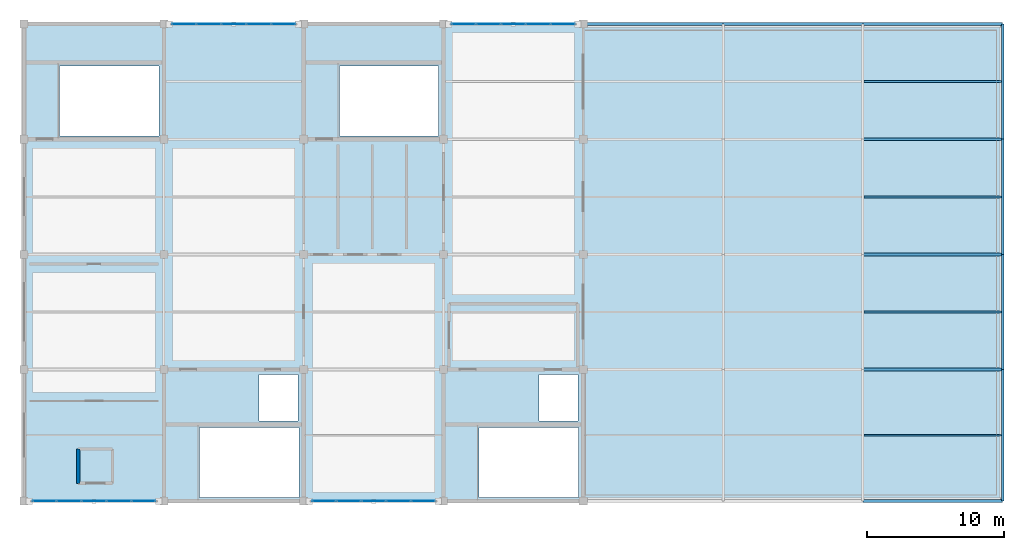
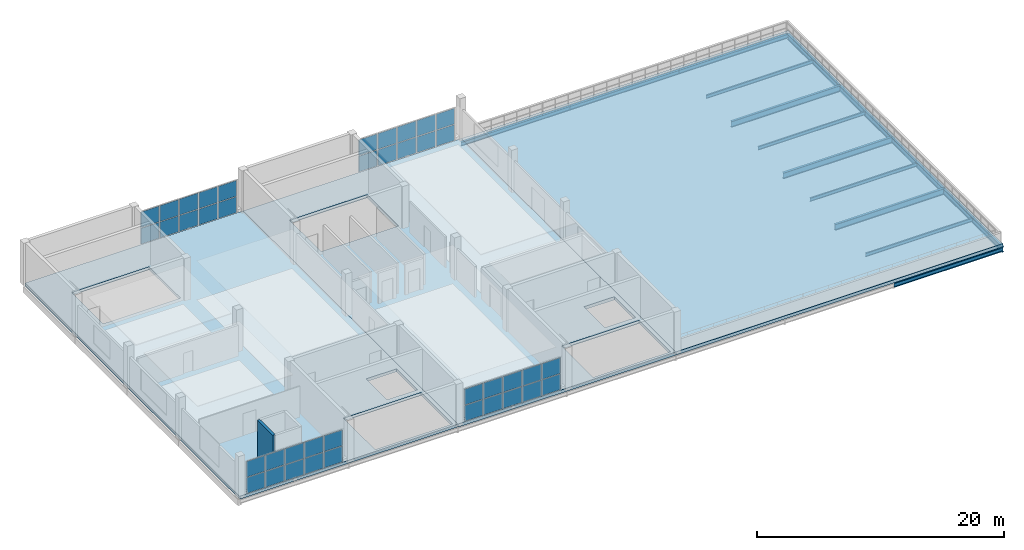
# One storey, part 9 of 12: 40 plates, 15 beams, 3 slabs, 1 wall, 4 elements without a shape of their own.
"""IFC4 building model written with IfcOpenShell, lengths in metres."""

from ifc_helpers import new_model, si_unit, direction, frame, frame_2d, origin, origin_2d, place, context, subcontext, project, spatial, polyline, rectangle, i_section, outline, extrude, material, layer, layer_set, material_profile, profile_set, type_object, element, aggregate, save


model = new_model("IFC4")

# Units and contexts
model_context = context("Model", 3, precision=1e-05, world=origin(), true_north=direction((0.0, 1.0)))
body_context = subcontext(model_context, "Body", "Model", "MODEL_VIEW")
ifc_project = project(units=[si_unit("LENGTHUNIT", "METRE"), si_unit("AREAUNIT", "SQUARE_METRE"), si_unit("VOLUMEUNIT", "CUBIC_METRE"), si_unit("PLANEANGLEUNIT", "RADIAN"), si_unit("MASSUNIT", "GRAM", prefix="KILO")], contexts=[model_context])

# Site, building, storey
site_placement = place(None, origin())
site = spatial("IfcSite", under=ifc_project, at=site_placement, CompositionType="ELEMENT")
building_placement = place(site_placement, origin())
building = spatial("IfcBuilding", under=site, at=building_placement, Name="Brelvane Convention Centre", CompositionType="ELEMENT")
storey_placement = place(building_placement, frame((0.0, 0.0, 23.39990234375)))
storey = spatial("IfcBuildingStorey", under=building, at=storey_placement, Name="L05", CompositionType="ELEMENT", Elevation=23.39990234375)

# Beams
ifc_material_1 = material(Name="Steel E350 (350 MPa)", Category="steel")
ifc_material_profile_1 = material_profile(ifc_material_1, i_section(OverallWidth=0.2099609375, OverallDepth=0.60009765625, WebThickness=0.011962890625, FlangeThickness=0.020751953125, FilletRadius=0.02001953125, at=origin_2d()), Name="ISMB 600")
ifc_profile_set_1 = profile_set([ifc_material_profile_1], Name="Steel E350 (350 MPa)")
beam_type_1 = type_object("IfcBeamType", Name="Steel Beam B-ST7 (ISMB 600)", PredefinedType="BEAM", material=ifc_profile_set_1)
for number, where, z_axis, x_axis, name in (
    (1, (61.199951171875, 118.800048828125, -0.60986328125), (1.0, 0.0, 0.0), (0.0, 1.0, 0.0), "L05 Beam 7-8/M"),
    (2, (61.199951171875, 127.199951171875, -0.60986328125), (1.0, 0.0, 0.0), (0.0, 1.0, 0.0), "L05 Beam 7-8/N"),
    (3, (61.199951171875, 135.60009765625, -0.60986328125), (1.0, 0.0, 0.0), (0.0, 1.0, 0.0), "L05 Beam 7-8/P"),
):
    element("IfcBeam", number, at=place(storey_placement, frame(where, z_axis=z_axis, x_axis=x_axis)), inside=storey, type_object=beam_type_1, Name=name, PredefinedType="BEAM", context=body_context, shape_type="SweptSolid", body=[
        extrude(i_section(OverallWidth=0.2099609375, OverallDepth=0.60009765625, WebThickness=0.011962890625, FlangeThickness=0.020751953125, FilletRadius=0.02001953125, at=origin_2d()), origin(), (0.0, 0.0, 1.0), 10.199951171875),
    ])
ifc_material_2 = material(Name="Steel E350 (350 MPa)", Category="steel")
ifc_material_profile_2 = material_profile(ifc_material_2, i_section(OverallWidth=0.18994140625, OverallDepth=0.550048828125, WebThickness=0.01123046875, FlangeThickness=0.019287109375, FilletRadius=0.01806640625, at=origin_2d()), Name="ISMB 550")
ifc_profile_set_2 = profile_set([ifc_material_profile_2], Name="Steel E350 (350 MPa)")
beam_type_2 = type_object("IfcBeamType", Name="Steel Beam B-ST8 (ISMB 550)", PredefinedType="BEAM", material=ifc_profile_set_2)
beam_1_placement = place(storey_placement, frame((71.39990234375, 109.199951171875, -0.5849609375), z_axis=(0.0, 1.0, 0.0), x_axis=(-1.0, 0.0, 0.0)))
element("IfcBeam", 4, at=beam_1_placement, inside=storey, type_object=beam_type_2, Name="L05 Girder 8/L-M", PredefinedType="BEAM", context=body_context, shape_type="SweptSolid", body=[
    extrude(i_section(OverallWidth=0.18994140625, OverallDepth=0.550048828125, WebThickness=0.01123046875, FlangeThickness=0.019287109375, FilletRadius=0.01806640625, at=origin_2d()), origin(), (0.0, 0.0, 1.0), 9.60009765625),
])
beam_2_placement = place(storey_placement, frame((71.39990234375, 118.800048828125, -0.5849609375), z_axis=(0.0, 1.0, 0.0), x_axis=(-1.0, 0.0, 0.0)))
element("IfcBeam", 5, at=beam_2_placement, inside=storey, type_object=beam_type_2, Name="L05 Girder 8/M-N", PredefinedType="BEAM", context=body_context, shape_type="SweptSolid", body=[
    extrude(i_section(OverallWidth=0.18994140625, OverallDepth=0.550048828125, WebThickness=0.01123046875, FlangeThickness=0.019287109375, FilletRadius=0.01806640625, at=origin_2d()), origin(), (0.0, 0.0, 1.0), 8.39990234375),
])
beam_3_placement = place(storey_placement, frame((71.39990234375, 127.199951171875, -0.5849609375), z_axis=(0.0, 1.0, 0.0), x_axis=(-1.0, 0.0, 0.0)))
element("IfcBeam", 6, at=beam_3_placement, inside=storey, type_object=beam_type_2, Name="L05 Girder 8/N-P", PredefinedType="BEAM", context=body_context, shape_type="SweptSolid", body=[
    extrude(i_section(OverallWidth=0.18994140625, OverallDepth=0.550048828125, WebThickness=0.01123046875, FlangeThickness=0.019287109375, FilletRadius=0.01806640625, at=origin_2d()), origin(), (0.0, 0.0, 1.0), 8.400146484375),
])
beam_4_placement = place(storey_placement, frame((71.39990234375, 135.60009765625, -0.5849609375), z_axis=(0.0, 1.0, 0.0), x_axis=(-1.0, 0.0, 0.0)))
element("IfcBeam", 7, at=beam_4_placement, inside=storey, type_object=beam_type_2, Name="L05 Girder 8/P-Q", PredefinedType="BEAM", context=body_context, shape_type="SweptSolid", body=[
    extrude(i_section(OverallWidth=0.18994140625, OverallDepth=0.550048828125, WebThickness=0.01123046875, FlangeThickness=0.019287109375, FilletRadius=0.01806640625, at=origin_2d()), origin(), (0.0, 0.0, 1.0), 8.39990234375),
])
ifc_material_3 = material(Name="Steel E350 (350 MPa)", Category="steel")
ifc_material_profile_3 = material_profile(ifc_material_3, i_section(OverallWidth=0.139892578125, OverallDepth=0.35009765625, WebThickness=0.008056640625, FlangeThickness=0.01416015625, FilletRadius=0.013916015625, at=origin_2d()), Name="ISMB 350")
ifc_profile_set_3 = profile_set([ifc_material_profile_3], Name="Steel E350 (350 MPa)")
beam_type_3 = type_object("IfcBeamType", Name="Steel Joist J-ST2 (ISMB 350)", PredefinedType="JOIST", material=ifc_profile_set_3)
for number, where, z_axis, x_axis, name in (
    (8, (61.294921875, 114.0, -0.48486328125), (1.0, 0.0, 0.0), (0.0, 1.0, 0.0), "L05 Secondary Joist 7-8/LM"),
    (9, (61.294921875, 123.0, -0.48486328125), (1.0, 0.0, 0.0), (0.0, 1.0, 0.0), "L05 Secondary Joist 7-8/MN"),
    (10, (61.294921875, 131.39990234375, -0.48486328125), (1.0, 0.0, 0.0), (0.0, 1.0, 0.0), "L05 Secondary Joist 7-8/NP"),
    (11, (61.294921875, 139.800048828125, -0.48486328125), (1.0, 0.0, 0.0), (0.0, 1.0, 0.0), "L05 Secondary Joist 7-8/PQ"),
):
    element("IfcBeam", number, at=place(storey_placement, frame(where, z_axis=z_axis, x_axis=x_axis)), inside=storey, type_object=beam_type_3, Name=name, PredefinedType="JOIST", context=body_context, shape_type="SweptSolid", body=[
        extrude(i_section(OverallWidth=0.139892578125, OverallDepth=0.35009765625, WebThickness=0.008056640625, FlangeThickness=0.01416015625, FilletRadius=0.013916015625, at=origin_2d()), origin(), (0.0, 0.0, 1.0), 10.010009765625),
    ])
ifc_material_4 = material(Name="Steel E350 (350 MPa)", Category="steel")
ifc_material_profile_4 = material_profile(ifc_material_4, i_section(OverallWidth=0.199951171875, OverallDepth=0.39990234375, WebThickness=0.008544921875, FlangeThickness=0.012939453125, FilletRadius=0.013916015625, at=origin_2d()), Name="ISWB 400")
ifc_profile_set_4 = profile_set([ifc_material_profile_4], Name="Steel E350 (350 MPa)")
beam_type_4 = type_object("IfcBeamType", Name="Steel Spandrel SP-ST2 (ISWB 400)", PredefinedType="SPANDREL", material=ifc_profile_set_4)
for number, where, z_axis, x_axis, name in (
    (12, (40.800048828125, 144.0, -0.510009765625), (1.0, 0.0, 0.0), (0.0, 1.0, 0.0), "L05 Beam 5-6/Q"),
    (13, (51.0, 144.0, -0.510009765625), (1.0, 0.0, 0.0), (0.0, 1.0, 0.0), "L05 Beam 6-7/Q"),
    (14, (61.199951171875, 109.199951171875, -0.510009765625), (1.0, 0.0, 0.0), (0.0, 1.0, 0.0), "L05 Beam 7-8/L"),
    (15, (61.199951171875, 144.0, -0.510009765625), (1.0, 0.0, 0.0), (0.0, 1.0, 0.0), "L05 Beam 7-8/Q"),
):
    element("IfcBeam", number, at=place(storey_placement, frame(where, z_axis=z_axis, x_axis=x_axis)), inside=storey, type_object=beam_type_4, Name=name, PredefinedType="SPANDREL", context=body_context, shape_type="SweptSolid", body=[
        extrude(i_section(OverallWidth=0.199951171875, OverallDepth=0.39990234375, WebThickness=0.008544921875, FlangeThickness=0.012939453125, FilletRadius=0.013916015625, at=origin_2d()), origin(), (0.0, 0.0, 1.0), 10.199951171875),
    ])

# Curtain wall, plates
ifc_material_5 = material(Name="Anodised Aluminium Alloy 6063-T6", Category="aluminium")
curtain_wall_type_1 = type_object("IfcCurtainWallType", Name="Curtain Wall CW-COURT", PredefinedType="USERDEFINED", material=ifc_material_5)
curtain_wall_1_placement = place(storey_placement, origin())
curtain_wall_1 = element("IfcCurtainWall", 16, at=curtain_wall_1_placement, inside=storey, type_object=curtain_wall_type_1, Name="Curtain Wall CW-COURT L05-V4S-01", ObjectType="UNITISED", PredefinedType="USERDEFINED")
ifc_material_6 = material(Name="Double Glazed Low-E Laminated Unit")
ifc_layer_1 = layer(ifc_material_6, 0.031982421875)
ifc_layer_set_1 = layer_set([ifc_layer_1], Name="Double Glazed Low-E Laminated Unit")
plate_type_1 = type_object("IfcPlateType", Name="Curtain Panel CW-PG1", PredefinedType="CURTAIN_PANEL", material=ifc_layer_set_1)
plate_1_placement = place(storey_placement, frame((1.478759765625, 109.199951171875, 0.070068359375), z_axis=(0.0, 0.0, 1.0), x_axis=(1.0, 0.0, 0.0)))
plate_1 = element("IfcPlate", 17, at=plate_1_placement, type_object=plate_type_1, Name="CW-COURT panel 1.1", PredefinedType="CURTAIN_PANEL", context=body_context, shape_type="SweptSolid", body=[
    extrude(rectangle(XDim=1.70751953125, YDim=0.031982421875, at=origin_2d()), origin(), (0.0, 0.0, 1.0), 1.544921875),
])
plate_2_placement = place(storey_placement, frame((1.478759765625, 109.199951171875, 1.68505859375), z_axis=(0.0, 0.0, 1.0), x_axis=(1.0, 0.0, 0.0)))
plate_2 = element("IfcPlate", 18, at=plate_2_placement, type_object=plate_type_1, Name="CW-COURT panel 1.2", PredefinedType="CURTAIN_PANEL", context=body_context, shape_type="SweptSolid", body=[
    extrude(rectangle(XDim=1.70751953125, YDim=0.031982421875, at=origin_2d()), origin(), (0.0, 0.0, 1.0), 1.544921875),
])
plate_3_placement = place(storey_placement, frame((3.280029296875, 109.199951171875, 0.070068359375), z_axis=(0.0, 0.0, 1.0), x_axis=(1.0, 0.0, 0.0)))
plate_3 = element("IfcPlate", 19, at=plate_3_placement, type_object=plate_type_1, Name="CW-COURT panel 2.1", PredefinedType="CURTAIN_PANEL", context=body_context, shape_type="SweptSolid", body=[
    extrude(rectangle(XDim=1.7451171875, YDim=0.031982421875, at=origin_2d()), origin(), (0.0, 0.0, 1.0), 1.544921875),
])
plate_4_placement = place(storey_placement, frame((3.280029296875, 109.199951171875, 1.68505859375), z_axis=(0.0, 0.0, 1.0), x_axis=(1.0, 0.0, 0.0)))
plate_4 = element("IfcPlate", 20, at=plate_4_placement, type_object=plate_type_1, Name="CW-COURT panel 2.2", PredefinedType="CURTAIN_PANEL", context=body_context, shape_type="SweptSolid", body=[
    extrude(rectangle(XDim=1.7451171875, YDim=0.031982421875, at=origin_2d()), origin(), (0.0, 0.0, 1.0), 1.544921875),
])
plate_5_placement = place(storey_placement, frame((5.10009765625, 109.199951171875, 0.070068359375), z_axis=(0.0, 0.0, 1.0), x_axis=(1.0, 0.0, 0.0)))
plate_5 = element("IfcPlate", 21, at=plate_5_placement, type_object=plate_type_1, Name="CW-COURT panel 3.1", PredefinedType="CURTAIN_PANEL", context=body_context, shape_type="SweptSolid", body=[
    extrude(rectangle(XDim=1.7451171875, YDim=0.031982421875, at=origin_2d()), origin(), (0.0, 0.0, 1.0), 1.544921875),
])
plate_6_placement = place(storey_placement, frame((5.10009765625, 109.199951171875, 1.68505859375), z_axis=(0.0, 0.0, 1.0), x_axis=(1.0, 0.0, 0.0)))
plate_6 = element("IfcPlate", 22, at=plate_6_placement, type_object=plate_type_1, Name="CW-COURT panel 3.2", PredefinedType="CURTAIN_PANEL", context=body_context, shape_type="SweptSolid", body=[
    extrude(rectangle(XDim=1.7451171875, YDim=0.031982421875, at=origin_2d()), origin(), (0.0, 0.0, 1.0), 1.544921875),
])
plate_7_placement = place(storey_placement, frame((6.919921875, 109.199951171875, 0.070068359375), z_axis=(0.0, 0.0, 1.0), x_axis=(1.0, 0.0, 0.0)))
plate_7 = element("IfcPlate", 23, at=plate_7_placement, type_object=plate_type_1, Name="CW-COURT panel 4.1", PredefinedType="CURTAIN_PANEL", context=body_context, shape_type="SweptSolid", body=[
    extrude(rectangle(XDim=1.7451171875, YDim=0.031982421875, at=origin_2d()), origin(), (0.0, 0.0, 1.0), 1.544921875),
])
plate_8_placement = place(storey_placement, frame((6.919921875, 109.199951171875, 1.68505859375), z_axis=(0.0, 0.0, 1.0), x_axis=(1.0, 0.0, 0.0)))
plate_8 = element("IfcPlate", 24, at=plate_8_placement, type_object=plate_type_1, Name="CW-COURT panel 4.2", PredefinedType="CURTAIN_PANEL", context=body_context, shape_type="SweptSolid", body=[
    extrude(rectangle(XDim=1.7451171875, YDim=0.031982421875, at=origin_2d()), origin(), (0.0, 0.0, 1.0), 1.544921875),
])
plate_9_placement = place(storey_placement, frame((8.72119140625, 109.199951171875, 0.070068359375), z_axis=(0.0, 0.0, 1.0), x_axis=(1.0, 0.0, 0.0)))
plate_9 = element("IfcPlate", 25, at=plate_9_placement, type_object=plate_type_1, Name="CW-COURT panel 5.1", PredefinedType="CURTAIN_PANEL", context=body_context, shape_type="SweptSolid", body=[
    extrude(rectangle(XDim=1.70751953125, YDim=0.031982421875, at=origin_2d()), origin(), (0.0, 0.0, 1.0), 1.544921875),
])
plate_10_placement = place(storey_placement, frame((8.72119140625, 109.199951171875, 1.68505859375), z_axis=(0.0, 0.0, 1.0), x_axis=(1.0, 0.0, 0.0)))
plate_10 = element("IfcPlate", 26, at=plate_10_placement, type_object=plate_type_1, Name="CW-COURT panel 5.2", PredefinedType="CURTAIN_PANEL", context=body_context, shape_type="SweptSolid", body=[
    extrude(rectangle(XDim=1.70751953125, YDim=0.031982421875, at=origin_2d()), origin(), (0.0, 0.0, 1.0), 1.544921875),
])
aggregate(curtain_wall_1, [plate_1, plate_2, plate_3, plate_4, plate_5, plate_6, plate_7, plate_8, plate_9, plate_10])

curtain_wall_2_placement = place(storey_placement, origin())
curtain_wall_2 = element("IfcCurtainWall", 27, at=curtain_wall_2_placement, inside=storey, type_object=curtain_wall_type_1, Name="Curtain Wall CW-COURT L05-V4S-03", ObjectType="UNITISED", PredefinedType="USERDEFINED")
plate_11_placement = place(storey_placement, frame((21.878662109375, 109.199951171875, 0.070068359375), z_axis=(0.0, 0.0, 1.0), x_axis=(1.0, 0.0, 0.0)))
plate_11 = element("IfcPlate", 28, at=plate_11_placement, type_object=plate_type_1, Name="CW-COURT panel 1.1", PredefinedType="CURTAIN_PANEL", context=body_context, shape_type="SweptSolid", body=[
    extrude(rectangle(XDim=1.70751953125, YDim=0.031982421875, at=origin_2d()), origin(), (0.0, 0.0, 1.0), 1.544921875),
])
plate_12_placement = place(storey_placement, frame((21.878662109375, 109.199951171875, 1.68505859375), z_axis=(0.0, 0.0, 1.0), x_axis=(1.0, 0.0, 0.0)))
plate_12 = element("IfcPlate", 29, at=plate_12_placement, type_object=plate_type_1, Name="CW-COURT panel 1.2", PredefinedType="CURTAIN_PANEL", context=body_context, shape_type="SweptSolid", body=[
    extrude(rectangle(XDim=1.70751953125, YDim=0.031982421875, at=origin_2d()), origin(), (0.0, 0.0, 1.0), 1.544921875),
])
plate_13_placement = place(storey_placement, frame((23.679931640625, 109.199951171875, 0.070068359375), z_axis=(0.0, 0.0, 1.0), x_axis=(1.0, 0.0, 0.0)))
plate_13 = element("IfcPlate", 30, at=plate_13_placement, type_object=plate_type_1, Name="CW-COURT panel 2.1", PredefinedType="CURTAIN_PANEL", context=body_context, shape_type="SweptSolid", body=[
    extrude(rectangle(XDim=1.7451171875, YDim=0.031982421875, at=origin_2d()), origin(), (0.0, 0.0, 1.0), 1.544921875),
])
plate_14_placement = place(storey_placement, frame((23.679931640625, 109.199951171875, 1.68505859375), z_axis=(0.0, 0.0, 1.0), x_axis=(1.0, 0.0, 0.0)))
plate_14 = element("IfcPlate", 31, at=plate_14_placement, type_object=plate_type_1, Name="CW-COURT panel 2.2", PredefinedType="CURTAIN_PANEL", context=body_context, shape_type="SweptSolid", body=[
    extrude(rectangle(XDim=1.7451171875, YDim=0.031982421875, at=origin_2d()), origin(), (0.0, 0.0, 1.0), 1.544921875),
])
plate_15_placement = place(storey_placement, frame((25.5, 109.199951171875, 0.070068359375), z_axis=(0.0, 0.0, 1.0), x_axis=(1.0, 0.0, 0.0)))
plate_15 = element("IfcPlate", 32, at=plate_15_placement, type_object=plate_type_1, Name="CW-COURT panel 3.1", PredefinedType="CURTAIN_PANEL", context=body_context, shape_type="SweptSolid", body=[
    extrude(rectangle(XDim=1.7451171875, YDim=0.031982421875, at=origin_2d()), origin(), (0.0, 0.0, 1.0), 1.544921875),
])
plate_16_placement = place(storey_placement, frame((25.5, 109.199951171875, 1.68505859375), z_axis=(0.0, 0.0, 1.0), x_axis=(1.0, 0.0, 0.0)))
plate_16 = element("IfcPlate", 33, at=plate_16_placement, type_object=plate_type_1, Name="CW-COURT panel 3.2", PredefinedType="CURTAIN_PANEL", context=body_context, shape_type="SweptSolid", body=[
    extrude(rectangle(XDim=1.7451171875, YDim=0.031982421875, at=origin_2d()), origin(), (0.0, 0.0, 1.0), 1.544921875),
])
plate_17_placement = place(storey_placement, frame((27.320068359375, 109.199951171875, 0.070068359375), z_axis=(0.0, 0.0, 1.0), x_axis=(1.0, 0.0, 0.0)))
plate_17 = element("IfcPlate", 34, at=plate_17_placement, type_object=plate_type_1, Name="CW-COURT panel 4.1", PredefinedType="CURTAIN_PANEL", context=body_context, shape_type="SweptSolid", body=[
    extrude(rectangle(XDim=1.7451171875, YDim=0.031982421875, at=origin_2d()), origin(), (0.0, 0.0, 1.0), 1.544921875),
])
plate_18_placement = place(storey_placement, frame((27.320068359375, 109.199951171875, 1.68505859375), z_axis=(0.0, 0.0, 1.0), x_axis=(1.0, 0.0, 0.0)))
plate_18 = element("IfcPlate", 35, at=plate_18_placement, type_object=plate_type_1, Name="CW-COURT panel 4.2", PredefinedType="CURTAIN_PANEL", context=body_context, shape_type="SweptSolid", body=[
    extrude(rectangle(XDim=1.7451171875, YDim=0.031982421875, at=origin_2d()), origin(), (0.0, 0.0, 1.0), 1.544921875),
])
plate_19_placement = place(storey_placement, frame((29.121337890625, 109.199951171875, 0.070068359375), z_axis=(0.0, 0.0, 1.0), x_axis=(1.0, 0.0, 0.0)))
plate_19 = element("IfcPlate", 36, at=plate_19_placement, type_object=plate_type_1, Name="CW-COURT panel 5.1", PredefinedType="CURTAIN_PANEL", context=body_context, shape_type="SweptSolid", body=[
    extrude(rectangle(XDim=1.70751953125, YDim=0.031982421875, at=origin_2d()), origin(), (0.0, 0.0, 1.0), 1.544921875),
])
plate_20_placement = place(storey_placement, frame((29.121337890625, 109.199951171875, 1.68505859375), z_axis=(0.0, 0.0, 1.0), x_axis=(1.0, 0.0, 0.0)))
plate_20 = element("IfcPlate", 37, at=plate_20_placement, type_object=plate_type_1, Name="CW-COURT panel 5.2", PredefinedType="CURTAIN_PANEL", context=body_context, shape_type="SweptSolid", body=[
    extrude(rectangle(XDim=1.70751953125, YDim=0.031982421875, at=origin_2d()), origin(), (0.0, 0.0, 1.0), 1.544921875),
])
aggregate(curtain_wall_2, [plate_11, plate_12, plate_13, plate_14, plate_15, plate_16, plate_17, plate_18, plate_19, plate_20])

ifc_material_7 = material(Name="Anodised Aluminium Alloy 6063-T6", Category="aluminium")
curtain_wall_type_2 = type_object("IfcCurtainWallType", Name="Curtain Wall CW-BOUL", PredefinedType="USERDEFINED", material=ifc_material_7)
curtain_wall_3_placement = place(storey_placement, origin())
curtain_wall_3 = element("IfcCurtainWall", 38, at=curtain_wall_3_placement, inside=storey, type_object=curtain_wall_type_2, Name="Curtain Wall CW-BOUL L05-V4N-02", ObjectType="UNITISED", PredefinedType="USERDEFINED")
ifc_material_8 = material(Name="Double Glazed Low-E Laminated Unit")
ifc_layer_2 = layer(ifc_material_8, 0.0380859375)
ifc_layer_set_2 = layer_set([ifc_layer_2], Name="Double Glazed Low-E Laminated Unit")
plate_type_2 = type_object("IfcPlateType", Name="Curtain Panel CW-PG2", PredefinedType="CURTAIN_PANEL", material=ifc_layer_set_2)
plate_21_placement = place(storey_placement, frame((11.67626953125, 144.0, 0.06005859375), z_axis=(0.0, 0.0, 1.0), x_axis=(1.0, 0.0, 0.0)))
plate_21 = element("IfcPlate", 39, at=plate_21_placement, type_object=plate_type_2, Name="CW-BOUL panel 1.1", PredefinedType="CURTAIN_PANEL", context=body_context, shape_type="SweptSolid", body=[
    extrude(rectangle(XDim=1.722412109375, YDim=0.0380859375, at=origin_2d()), origin(), (0.0, 0.0, 1.0), 1.56005859375),
])
plate_22_placement = place(storey_placement, frame((11.67626953125, 144.0, 1.68017578125), z_axis=(0.0, 0.0, 1.0), x_axis=(1.0, 0.0, 0.0)))
plate_22 = element("IfcPlate", 40, at=plate_22_placement, type_object=plate_type_2, Name="CW-BOUL panel 1.2", PredefinedType="CURTAIN_PANEL", context=body_context, shape_type="SweptSolid", body=[
    extrude(rectangle(XDim=1.722412109375, YDim=0.0380859375, at=origin_2d()), origin(), (0.0, 0.0, 1.0), 1.56005859375),
])
plate_23_placement = place(storey_placement, frame((13.47998046875, 144.0, 0.06005859375), z_axis=(0.0, 0.0, 1.0), x_axis=(1.0, 0.0, 0.0)))
plate_23 = element("IfcPlate", 41, at=plate_23_placement, type_object=plate_type_2, Name="CW-BOUL panel 2.1", PredefinedType="CURTAIN_PANEL", context=body_context, shape_type="SweptSolid", body=[
    extrude(rectangle(XDim=1.7548828125, YDim=0.0380859375, at=origin_2d()), origin(), (0.0, 0.0, 1.0), 1.56005859375),
])
plate_24_placement = place(storey_placement, frame((13.47998046875, 144.0, 1.68017578125), z_axis=(0.0, 0.0, 1.0), x_axis=(1.0, 0.0, 0.0)))
plate_24 = element("IfcPlate", 42, at=plate_24_placement, type_object=plate_type_2, Name="CW-BOUL panel 2.2", PredefinedType="CURTAIN_PANEL", context=body_context, shape_type="SweptSolid", body=[
    extrude(rectangle(XDim=1.7548828125, YDim=0.0380859375, at=origin_2d()), origin(), (0.0, 0.0, 1.0), 1.56005859375),
])
plate_25_placement = place(storey_placement, frame((15.300048828125, 144.0, 0.06005859375), z_axis=(0.0, 0.0, 1.0), x_axis=(1.0, 0.0, 0.0)))
plate_25 = element("IfcPlate", 43, at=plate_25_placement, type_object=plate_type_2, Name="CW-BOUL panel 3.1", PredefinedType="CURTAIN_PANEL", context=body_context, shape_type="SweptSolid", body=[
    extrude(rectangle(XDim=1.7548828125, YDim=0.0380859375, at=origin_2d()), origin(), (0.0, 0.0, 1.0), 1.56005859375),
])
plate_26_placement = place(storey_placement, frame((15.300048828125, 144.0, 1.68017578125), z_axis=(0.0, 0.0, 1.0), x_axis=(1.0, 0.0, 0.0)))
plate_26 = element("IfcPlate", 44, at=plate_26_placement, type_object=plate_type_2, Name="CW-BOUL panel 3.2", PredefinedType="CURTAIN_PANEL", context=body_context, shape_type="SweptSolid", body=[
    extrude(rectangle(XDim=1.7548828125, YDim=0.0380859375, at=origin_2d()), origin(), (0.0, 0.0, 1.0), 1.56005859375),
])
plate_27_placement = place(storey_placement, frame((17.1201171875, 144.0, 0.06005859375), z_axis=(0.0, 0.0, 1.0), x_axis=(1.0, 0.0, 0.0)))
plate_27 = element("IfcPlate", 45, at=plate_27_placement, type_object=plate_type_2, Name="CW-BOUL panel 4.1", PredefinedType="CURTAIN_PANEL", context=body_context, shape_type="SweptSolid", body=[
    extrude(rectangle(XDim=1.7548828125, YDim=0.0380859375, at=origin_2d()), origin(), (0.0, 0.0, 1.0), 1.56005859375),
])
plate_28_placement = place(storey_placement, frame((17.1201171875, 144.0, 1.68017578125), z_axis=(0.0, 0.0, 1.0), x_axis=(1.0, 0.0, 0.0)))
plate_28 = element("IfcPlate", 46, at=plate_28_placement, type_object=plate_type_2, Name="CW-BOUL panel 4.2", PredefinedType="CURTAIN_PANEL", context=body_context, shape_type="SweptSolid", body=[
    extrude(rectangle(XDim=1.7548828125, YDim=0.0380859375, at=origin_2d()), origin(), (0.0, 0.0, 1.0), 1.56005859375),
])
plate_29_placement = place(storey_placement, frame((18.923828125, 144.0, 0.06005859375), z_axis=(0.0, 0.0, 1.0), x_axis=(1.0, 0.0, 0.0)))
plate_29 = element("IfcPlate", 47, at=plate_29_placement, type_object=plate_type_2, Name="CW-BOUL panel 5.1", PredefinedType="CURTAIN_PANEL", context=body_context, shape_type="SweptSolid", body=[
    extrude(rectangle(XDim=1.722412109375, YDim=0.0380859375, at=origin_2d()), origin(), (0.0, 0.0, 1.0), 1.56005859375),
])
plate_30_placement = place(storey_placement, frame((18.923828125, 144.0, 1.68017578125), z_axis=(0.0, 0.0, 1.0), x_axis=(1.0, 0.0, 0.0)))
plate_30 = element("IfcPlate", 48, at=plate_30_placement, type_object=plate_type_2, Name="CW-BOUL panel 5.2", PredefinedType="CURTAIN_PANEL", context=body_context, shape_type="SweptSolid", body=[
    extrude(rectangle(XDim=1.722412109375, YDim=0.0380859375, at=origin_2d()), origin(), (0.0, 0.0, 1.0), 1.56005859375),
])
aggregate(curtain_wall_3, [plate_21, plate_22, plate_23, plate_24, plate_25, plate_26, plate_27, plate_28, plate_29, plate_30])

curtain_wall_4_placement = place(storey_placement, origin())
curtain_wall_4 = element("IfcCurtainWall", 49, at=curtain_wall_4_placement, inside=storey, type_object=curtain_wall_type_2, Name="Curtain Wall CW-BOUL L05-V4N-04", ObjectType="UNITISED", PredefinedType="USERDEFINED")
plate_31_placement = place(storey_placement, frame((32.076171875, 144.0, 0.06005859375), z_axis=(0.0, 0.0, 1.0), x_axis=(1.0, 0.0, 0.0)))
plate_31 = element("IfcPlate", 50, at=plate_31_placement, type_object=plate_type_2, Name="CW-BOUL panel 1.1", PredefinedType="CURTAIN_PANEL", context=body_context, shape_type="SweptSolid", body=[
    extrude(rectangle(XDim=1.722412109375, YDim=0.0380859375, at=origin_2d()), origin(), (0.0, 0.0, 1.0), 1.56005859375),
])
plate_32_placement = place(storey_placement, frame((32.076171875, 144.0, 1.68017578125), z_axis=(0.0, 0.0, 1.0), x_axis=(1.0, 0.0, 0.0)))
plate_32 = element("IfcPlate", 51, at=plate_32_placement, type_object=plate_type_2, Name="CW-BOUL panel 1.2", PredefinedType="CURTAIN_PANEL", context=body_context, shape_type="SweptSolid", body=[
    extrude(rectangle(XDim=1.722412109375, YDim=0.0380859375, at=origin_2d()), origin(), (0.0, 0.0, 1.0), 1.56005859375),
])
plate_33_placement = place(storey_placement, frame((33.8798828125, 144.0, 0.06005859375), z_axis=(0.0, 0.0, 1.0), x_axis=(1.0, 0.0, 0.0)))
plate_33 = element("IfcPlate", 52, at=plate_33_placement, type_object=plate_type_2, Name="CW-BOUL panel 2.1", PredefinedType="CURTAIN_PANEL", context=body_context, shape_type="SweptSolid", body=[
    extrude(rectangle(XDim=1.7548828125, YDim=0.0380859375, at=origin_2d()), origin(), (0.0, 0.0, 1.0), 1.56005859375),
])
plate_34_placement = place(storey_placement, frame((33.8798828125, 144.0, 1.68017578125), z_axis=(0.0, 0.0, 1.0), x_axis=(1.0, 0.0, 0.0)))
plate_34 = element("IfcPlate", 53, at=plate_34_placement, type_object=plate_type_2, Name="CW-BOUL panel 2.2", PredefinedType="CURTAIN_PANEL", context=body_context, shape_type="SweptSolid", body=[
    extrude(rectangle(XDim=1.7548828125, YDim=0.0380859375, at=origin_2d()), origin(), (0.0, 0.0, 1.0), 1.56005859375),
])
plate_35_placement = place(storey_placement, frame((35.699951171875, 144.0, 0.06005859375), z_axis=(0.0, 0.0, 1.0), x_axis=(1.0, 0.0, 0.0)))
plate_35 = element("IfcPlate", 54, at=plate_35_placement, type_object=plate_type_2, Name="CW-BOUL panel 3.1", PredefinedType="CURTAIN_PANEL", context=body_context, shape_type="SweptSolid", body=[
    extrude(rectangle(XDim=1.7548828125, YDim=0.0380859375, at=origin_2d()), origin(), (0.0, 0.0, 1.0), 1.56005859375),
])
plate_36_placement = place(storey_placement, frame((35.699951171875, 144.0, 1.68017578125), z_axis=(0.0, 0.0, 1.0), x_axis=(1.0, 0.0, 0.0)))
plate_36 = element("IfcPlate", 55, at=plate_36_placement, type_object=plate_type_2, Name="CW-BOUL panel 3.2", PredefinedType="CURTAIN_PANEL", context=body_context, shape_type="SweptSolid", body=[
    extrude(rectangle(XDim=1.7548828125, YDim=0.0380859375, at=origin_2d()), origin(), (0.0, 0.0, 1.0), 1.56005859375),
])
plate_37_placement = place(storey_placement, frame((37.52001953125, 144.0, 0.06005859375), z_axis=(0.0, 0.0, 1.0), x_axis=(1.0, 0.0, 0.0)))
plate_37 = element("IfcPlate", 56, at=plate_37_placement, type_object=plate_type_2, Name="CW-BOUL panel 4.1", PredefinedType="CURTAIN_PANEL", context=body_context, shape_type="SweptSolid", body=[
    extrude(rectangle(XDim=1.7548828125, YDim=0.0380859375, at=origin_2d()), origin(), (0.0, 0.0, 1.0), 1.56005859375),
])
plate_38_placement = place(storey_placement, frame((37.52001953125, 144.0, 1.68017578125), z_axis=(0.0, 0.0, 1.0), x_axis=(1.0, 0.0, 0.0)))
plate_38 = element("IfcPlate", 57, at=plate_38_placement, type_object=plate_type_2, Name="CW-BOUL panel 4.2", PredefinedType="CURTAIN_PANEL", context=body_context, shape_type="SweptSolid", body=[
    extrude(rectangle(XDim=1.7548828125, YDim=0.0380859375, at=origin_2d()), origin(), (0.0, 0.0, 1.0), 1.56005859375),
])
plate_39_placement = place(storey_placement, frame((39.32373046875, 144.0, 0.06005859375), z_axis=(0.0, 0.0, 1.0), x_axis=(1.0, 0.0, 0.0)))
plate_39 = element("IfcPlate", 58, at=plate_39_placement, type_object=plate_type_2, Name="CW-BOUL panel 5.1", PredefinedType="CURTAIN_PANEL", context=body_context, shape_type="SweptSolid", body=[
    extrude(rectangle(XDim=1.722412109375, YDim=0.0380859375, at=origin_2d()), origin(), (0.0, 0.0, 1.0), 1.56005859375),
])
plate_40_placement = place(storey_placement, frame((39.32373046875, 144.0, 1.68017578125), z_axis=(0.0, 0.0, 1.0), x_axis=(1.0, 0.0, 0.0)))
plate_40 = element("IfcPlate", 59, at=plate_40_placement, type_object=plate_type_2, Name="CW-BOUL panel 5.2", PredefinedType="CURTAIN_PANEL", context=body_context, shape_type="SweptSolid", body=[
    extrude(rectangle(XDim=1.722412109375, YDim=0.0380859375, at=origin_2d()), origin(), (0.0, 0.0, 1.0), 1.56005859375),
])
aggregate(curtain_wall_4, [plate_31, plate_32, plate_33, plate_34, plate_35, plate_36, plate_37, plate_38, plate_39, plate_40])

# Slabs
ifc_material_9 = material(Name="Concrete M40", Category="concrete")
ifc_layer_3 = layer(ifc_material_9, 0.284912109375)
ifc_layer_set_3 = layer_set([ifc_layer_3], Name="Concrete M40")
slab_type_1 = type_object("IfcSlabType", Name="Structural Slab SL-FLR-285", PredefinedType="FLOOR", material=ifc_layer_set_3)
slab_1_placement = place(storey_placement, frame((0.0, 0.0, -0.284912109375)))
element("IfcSlab", 60, at=slab_1_placement, inside=storey, type_object=slab_type_1, Name="L05 FloorS Slab MEET-TOP-W", PredefinedType="FLOOR", context=body_context, shape_type="SweptSolid", body=[
    extrude(outline(polyline([(0.0, 109.199951171875), (20.39990234375, 109.199951171875), (20.39990234375, 144.0), (0.0, 144.0), (0.0, 109.199951171875)]), holes=[polyline([(12.800048828125, 109.449951171875), (20.050048828125, 109.449951171875), (20.050048828125, 114.550048828125), (12.800048828125, 114.550048828125), (12.800048828125, 109.449951171875)]), polyline([(17.14990234375, 115.050048828125), (20.0, 115.050048828125), (20.0, 118.449951171875), (17.14990234375, 118.449951171875), (17.14990234375, 115.050048828125)]), polyline([(2.60009765625, 135.85009765625), (9.85009765625, 135.85009765625), (9.85009765625, 140.949951171875), (2.60009765625, 140.949951171875), (2.60009765625, 135.85009765625)])]), origin(), (0.0, 0.0, 1.0), 0.284912109375),
])
ifc_material_10 = material(Name="Concrete M40", Category="concrete")
ifc_layer_4 = layer(ifc_material_10, 0.31494140625)
ifc_layer_set_4 = layer_set([ifc_layer_4], Name="Concrete M40")
slab_type_2 = type_object("IfcSlabType", Name="Structural Slab SL-FLR-315", PredefinedType="FLOOR", material=ifc_layer_set_4)
slab_2_placement = place(storey_placement, frame((0.0, 0.0, -0.31494140625)))
element("IfcSlab", 61, at=slab_2_placement, inside=storey, type_object=slab_type_2, Name="L05 FloorN Slab MEET-TOP-E", PredefinedType="FLOOR", context=body_context, shape_type="SweptSolid", body=[
    extrude(outline(polyline([(20.39990234375, 109.199951171875), (40.800048828125, 109.199951171875), (40.800048828125, 144.0), (20.39990234375, 144.0), (20.39990234375, 109.199951171875)]), holes=[polyline([(33.199951171875, 109.449951171875), (40.449951171875, 109.449951171875), (40.449951171875, 114.550048828125), (33.199951171875, 114.550048828125), (33.199951171875, 109.449951171875)]), polyline([(37.550048828125, 115.050048828125), (40.39990234375, 115.050048828125), (40.39990234375, 118.449951171875), (37.550048828125, 118.449951171875), (37.550048828125, 115.050048828125)]), polyline([(23.0, 135.85009765625), (30.25, 135.85009765625), (30.25, 140.949951171875), (23.0, 140.949951171875), (23.0, 135.85009765625)])]), origin(), (0.0, 0.0, 1.0), 0.31494140625),
])
ifc_material_11 = material(Name="Concrete M40", Category="concrete")
ifc_layer_5 = layer(ifc_material_11, 0.31005859375)
ifc_layer_set_5 = layer_set([ifc_layer_5], Name="Concrete M40")
slab_type_3 = type_object("IfcSlabType", Name="Structural Slab SL-ROOF-GDN-310", PredefinedType="ROOF", material=ifc_layer_set_5)
slab_3_placement = place(storey_placement, frame((0.0, 0.0, -0.309814453125)))
element("IfcSlab", 62, at=slab_3_placement, inside=storey, type_object=slab_type_3, Name="Summit Panorama Roof Terrace Slab", PredefinedType="ROOF", context=body_context, shape_type="SweptSolid", body=[
    extrude(outline(polyline([(40.800048828125, 109.199951171875), (71.39990234375, 109.199951171875), (71.39990234375, 144.0), (40.800048828125, 144.0), (40.800048828125, 109.199951171875)])), origin(), (0.0, 0.0, 1.0), 0.309814453125),
])

# Wall
ifc_material_12 = material(Name="Concrete M40", Category="concrete")
ifc_layer_6 = layer(ifc_material_12, 0.219970703125)
ifc_layer_set_6 = layer_set([ifc_layer_6], Name="Concrete M40")
wall_type = type_object("IfcWallType", Name="Interior Wall IW-FR-220", PredefinedType="PARTITIONING", material=ifc_layer_set_6)
wall_placement = place(storey_placement, frame((3.949951171875, 110.5, 0.0), z_axis=(0.0, 0.0, 1.0), x_axis=(0.0, 1.0, 0.0)))
element("IfcWall", 63, at=wall_placement, inside=storey, type_object=wall_type, Name="Lift LP-06 Shaft Wall W (L05)", PredefinedType="PARTITIONING", context=body_context, shape_type="SweptSolid", body=[
    extrude(rectangle(XDim=2.5, YDim=0.219970703125, at=frame_2d((1.25, 0.0))), origin(), (0.0, 0.0, 1.0), 3.900146484375),
])

save(model, "model.ifc")
